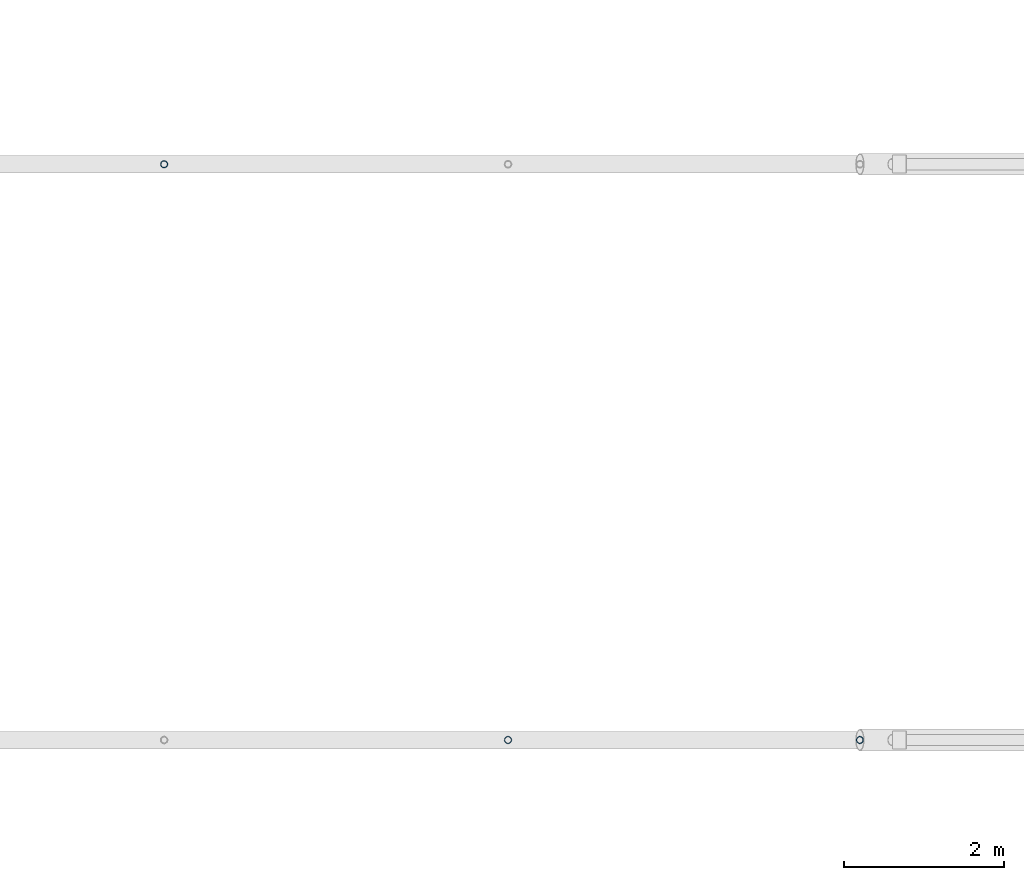
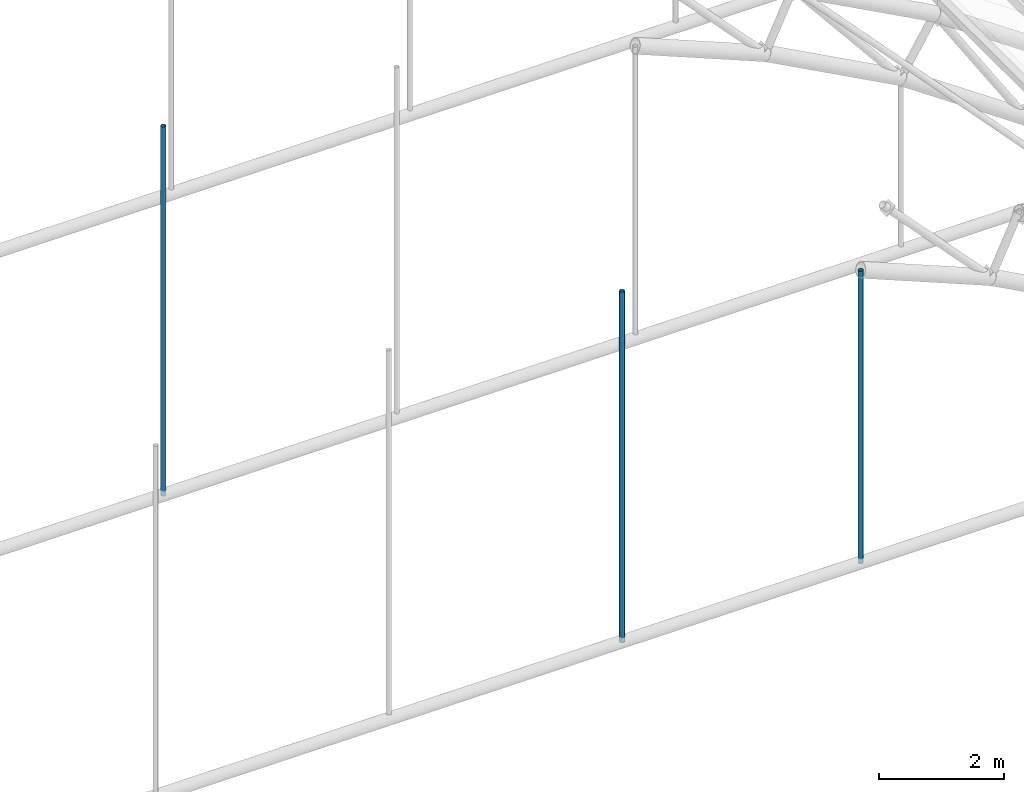
# One storey, part 14 of 101: 3 members.
"""IFC4 building model written with IfcOpenShell, lengths in metres."""

from ifc_helpers import new_model, si_unit, direction, frame, origin, origin_2d, place, context, subcontext, project, spatial, hollow_circle, extrude, material, material_profile, profile_set, type_object, element, save


model = new_model("IFC4")

# Units and contexts
model_context = context("Model", 3, precision=1e-05, world=origin(), true_north=direction((0.0, 1.0)))
body_context = subcontext(model_context, "Body", "Model", "MODEL_VIEW")
ifc_project = project(units=[si_unit("LENGTHUNIT", "METRE"), si_unit("AREAUNIT", "SQUARE_METRE"), si_unit("VOLUMEUNIT", "CUBIC_METRE"), si_unit("PLANEANGLEUNIT", "RADIAN"), si_unit("MASSUNIT", "GRAM", prefix="KILO")], contexts=[model_context])

# Site, building, storey
site_placement = place(None, origin())
site = spatial("IfcSite", under=ifc_project, at=site_placement, CompositionType="ELEMENT")
building_placement = place(site_placement, origin())
building = spatial("IfcBuilding", under=site, at=building_placement, Name="Laocheng Heights Fire and Rescue Headquarters", CompositionType="ELEMENT")
storey_placement = place(building_placement, frame((0.0, 0.0, 8.39990234375)))
storey = spatial("IfcBuildingStorey", under=building, at=storey_placement, Name="L02", CompositionType="ELEMENT", Elevation=8.39990234375)

# Members
ifc_material = material(Name="Steel Q355B", Category="steel")
ifc_material_profile = material_profile(ifc_material, hollow_circle(Radius=0.04443359375, WallThickness=0.0048828125, at=origin_2d()), Name="CHS 88.9x5")
ifc_profile_set = profile_set([ifc_material_profile], Name="Steel Q355B")
member_type = type_object("IfcMemberType", Name="BAY ROOF HANGER CHS 88.9x5", PredefinedType="POST", material=ifc_profile_set)
member_1_placement = place(storey_placement, frame((40.300048828125, 0.0, 0.0), z_axis=(0.0, 0.0, 1.0), x_axis=(1.0, 0.0, 0.0)))
element("IfcMember", 1, at=member_1_placement, inside=storey, type_object=member_type, Name="Truss TR1 hanger 10", PredefinedType="POST", context=body_context, shape_type="SweptSolid", body=[
    extrude(hollow_circle(Radius=0.04443359375, WallThickness=0.0048828125, at=origin_2d()), origin(), (0.0, 0.0, 1.0), 6.843017578125),
])
member_2_placement = place(storey_placement, frame((44.699951171875, 0.0, 0.0), z_axis=(0.0, 0.0, 1.0), x_axis=(1.0, 0.0, 0.0)))
element("IfcMember", 2, at=member_2_placement, inside=storey, type_object=member_type, Name="Truss TR1 hanger 12", PredefinedType="POST", context=body_context, shape_type="SweptSolid", body=[
    extrude(hollow_circle(Radius=0.04443359375, WallThickness=0.0048828125, at=origin_2d()), origin(), (0.0, 0.0, 1.0), 5.70703125),
])
member_3_placement = place(storey_placement, frame((36.0, 7.199951171875, 0.0), z_axis=(0.0, 0.0, 1.0), x_axis=(1.0, 0.0, 0.0)))
element("IfcMember", 3, at=member_3_placement, inside=storey, type_object=member_type, Name="Truss TR2 hanger 08", PredefinedType="POST", context=body_context, shape_type="SweptSolid", body=[
    extrude(hollow_circle(Radius=0.04443359375, WallThickness=0.0048828125, at=origin_2d()), origin(), (0.0, 0.0, 1.0), 7.2001953125),
])

save(model, "model.ifc")
